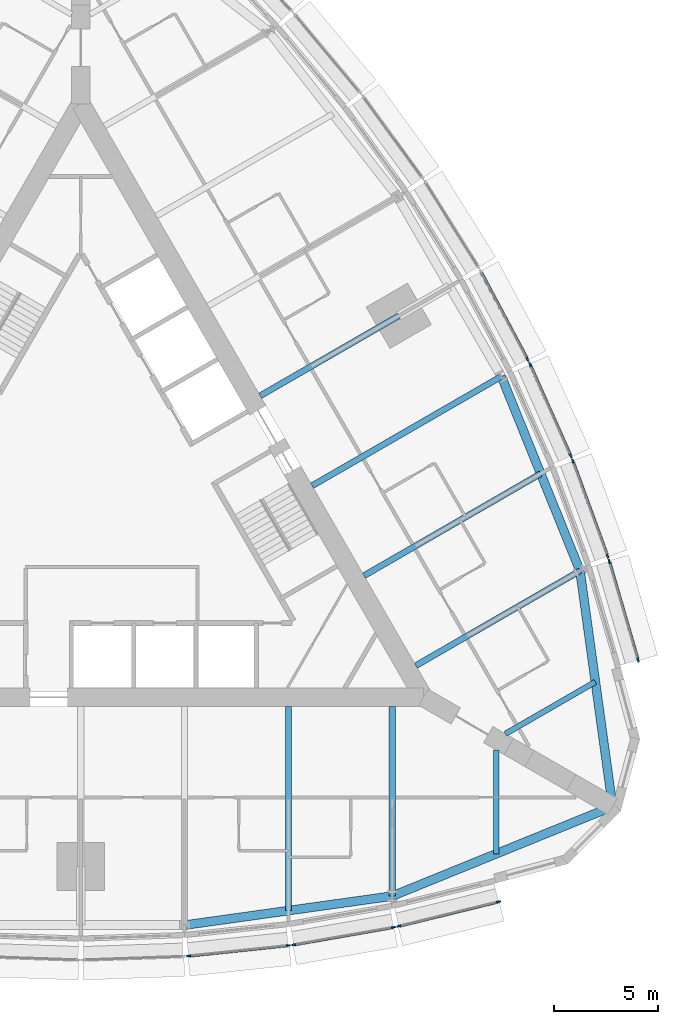
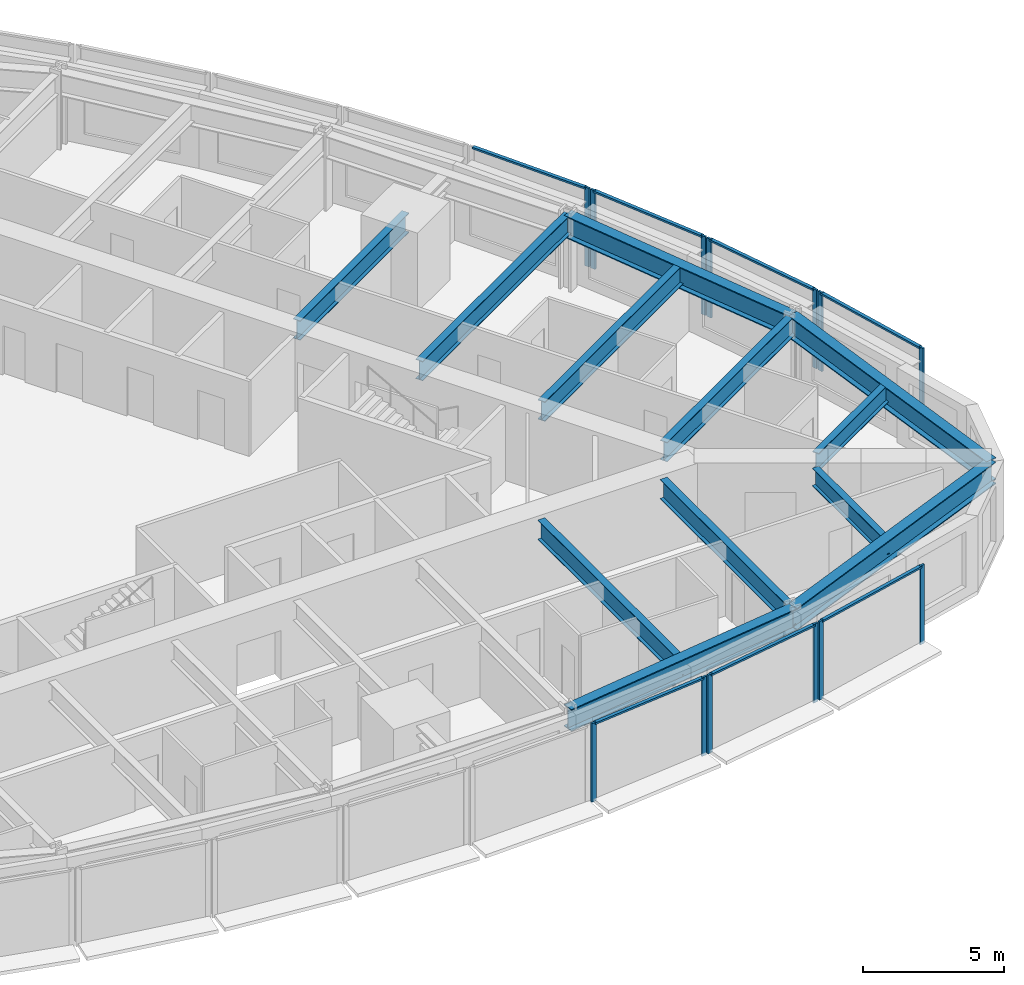
# One storey, part 3 of 14: 20 members, 12 beams, 7 elements without a shape of their own.
"""IFC4 building model written with IfcOpenShell, lengths in metres."""

from ifc_helpers import new_model, si_unit, direction, frame, origin, origin_2d, place, context, subcontext, project, spatial, rectangle, i_section, extrude, material, material_profile, profile_set, type_object, element, aggregate, save


model = new_model("IFC4")

# Units and contexts
model_context = context("Model", 3, precision=1e-05, world=origin(), true_north=direction((0.0, 1.0)))
body_context = subcontext(model_context, "Body", "Model", "MODEL_VIEW")
ifc_project = project(units=[si_unit("LENGTHUNIT", "METRE"), si_unit("AREAUNIT", "SQUARE_METRE"), si_unit("VOLUMEUNIT", "CUBIC_METRE"), si_unit("PLANEANGLEUNIT", "RADIAN"), si_unit("MASSUNIT", "GRAM", prefix="KILO")], contexts=[model_context])

# Site, building, storey
site_placement = place(None, origin())
site = spatial("IfcSite", under=ifc_project, at=site_placement, CompositionType="ELEMENT")
building_placement = place(site_placement, origin())
building = spatial("IfcBuilding", under=site, at=building_placement, Name="Trikona Tower", CompositionType="ELEMENT")
storey_placement = place(building_placement, frame((0.0, 0.0, 124.89990234375)))
storey = spatial("IfcBuildingStorey", under=building, at=storey_placement, Name="L32", CompositionType="ELEMENT", Elevation=124.89990234375)

# Curtain wall, members
ifc_material_1 = material(Name="Aluminium curtain wall system", Category="aluminium")
curtain_wall_type = type_object("IfcCurtainWallType", Name="Curtain wall DS2", PredefinedType="NOTDEFINED", material=ifc_material_1)
curtain_wall_1_placement = place(storey_placement, origin())
curtain_wall_1 = element("IfcCurtainWall", 1, at=curtain_wall_1_placement, inside=storey, type_object=curtain_wall_type, Name="Curtain wall DS2 L32", PredefinedType="NOTDEFINED")
ifc_material_2 = material(Name="Aluminium mullion, pale anodised", Category="aluminium")
ifc_material_profile_1 = material_profile(ifc_material_2, rectangle(XDim=0.080078125, YDim=0.199951171875, at=origin_2d()), Name="MUL-DS2")
ifc_profile_set_1 = profile_set([ifc_material_profile_1], Name="Aluminium mullion, pale anodised")
member_type_1 = type_object("IfcMemberType", Name="Mullion DS2 80x200", PredefinedType="MULLION", material=ifc_profile_set_1)
member_1_placement = place(storey_placement, frame((5.193359375, -21.98486328125, 0.0), z_axis=(0.0, 0.0, 1.0), x_axis=(-0.104433387357, 0.994531883654, 0.0)))
member_1 = element("IfcMember", 2, at=member_1_placement, type_object=member_type_1, Name="CW-DS2 mullion 1", PredefinedType="MULLION", context=body_context, shape_type="SweptSolid", body=[
    extrude(rectangle(XDim=0.080078125, YDim=0.199951171875, at=origin_2d()), origin(), (0.0, 0.0, 1.0), 3.400146484375),
])
member_2_placement = place(storey_placement, frame((9.99462890625, -21.480712890625, 0.0), z_axis=(0.0, 0.0, 1.0), x_axis=(-0.104433387357, 0.994531883654, 0.0)))
member_2 = element("IfcMember", 3, at=member_2_placement, type_object=member_type_1, Name="CW-DS2 mullion 2", PredefinedType="MULLION", context=body_context, shape_type="SweptSolid", body=[
    extrude(rectangle(XDim=0.080078125, YDim=0.199951171875, at=origin_2d()), origin(), (0.0, 0.0, 1.0), 3.400146484375),
])

curtain_wall_2_placement = place(storey_placement, origin())
curtain_wall_2 = element("IfcCurtainWall", 4, at=curtain_wall_2_placement, inside=storey, type_object=curtain_wall_type, Name="Curtain wall DS2 L32", PredefinedType="NOTDEFINED")
member_3_placement = place(storey_placement, frame((10.253662109375, -21.444580078125, 0.0), z_axis=(0.0, 0.0, 1.0), x_axis=(-0.17237739505, 0.985030981074, 0.0)))
member_3 = element("IfcMember", 5, at=member_3_placement, type_object=member_type_1, Name="CW-DS2 mullion 1", PredefinedType="MULLION", context=body_context, shape_type="SweptSolid", body=[
    extrude(rectangle(XDim=0.080078125, YDim=0.199951171875, at=origin_2d()), origin(), (0.0, 0.0, 1.0), 3.400146484375),
])
member_4_placement = place(storey_placement, frame((15.056640625, -20.60400390625, 0.0), z_axis=(0.0, 0.0, 1.0), x_axis=(-0.17237739505, 0.985030981074, 0.0)))
member_4 = element("IfcMember", 6, at=member_4_placement, type_object=member_type_1, Name="CW-DS2 mullion 2", PredefinedType="MULLION", context=body_context, shape_type="SweptSolid", body=[
    extrude(rectangle(XDim=0.080078125, YDim=0.199951171875, at=origin_2d()), origin(), (0.0, 0.0, 1.0), 3.400146484375),
])

curtain_wall_3_placement = place(storey_placement, origin())
curtain_wall_3 = element("IfcCurtainWall", 7, at=curtain_wall_3_placement, inside=storey, type_object=curtain_wall_type, Name="Curtain wall DS2 L32", PredefinedType="NOTDEFINED")
member_5_placement = place(storey_placement, frame((15.311279296875, -20.550537109375, 0.0), z_axis=(0.0, 0.0, 1.0), x_axis=(-0.237970204243, 0.971272455026, 0.0)))
member_5 = element("IfcMember", 8, at=member_5_placement, type_object=member_type_1, Name="CW-DS2 mullion 1", PredefinedType="MULLION", context=body_context, shape_type="SweptSolid", body=[
    extrude(rectangle(XDim=0.080078125, YDim=0.199951171875, at=origin_2d()), origin(), (0.0, 0.0, 1.0), 3.400146484375),
])
member_6_placement = place(storey_placement, frame((20.116943359375, -19.373046875, 0.0), z_axis=(0.0, 0.0, 1.0), x_axis=(-0.237970204243, 0.971272455026, 0.0)))
member_6 = element("IfcMember", 9, at=member_6_placement, type_object=member_type_1, Name="CW-DS2 mullion 2", PredefinedType="MULLION", context=body_context, shape_type="SweptSolid", body=[
    extrude(rectangle(XDim=0.080078125, YDim=0.199951171875, at=origin_2d()), origin(), (0.0, 0.0, 1.0), 3.400146484375),
])

curtain_wall_4_placement = place(storey_placement, origin())
curtain_wall_4 = element("IfcCurtainWall", 10, at=curtain_wall_4_placement, inside=storey, type_object=curtain_wall_type, Name="Curtain wall DS2 L32", PredefinedType="NOTDEFINED")
member_7_placement = place(storey_placement, frame((26.836181640625, -7.7353515625, 0.0), z_axis=(0.0, 0.0, 1.0), x_axis=(-0.96013310152, -0.279543247757, 0.0)))
member_7 = element("IfcMember", 11, at=member_7_placement, type_object=member_type_1, Name="CW-DS2 mullion 1", PredefinedType="MULLION", context=body_context, shape_type="SweptSolid", body=[
    extrude(rectangle(XDim=0.080078125, YDim=0.199951171875, at=origin_2d()), origin(), (0.0, 0.0, 1.0), 3.400146484375),
])
member_8_placement = place(storey_placement, frame((25.452880859375, -2.984619140625, 0.0), z_axis=(0.0, 0.0, 1.0), x_axis=(-0.96013310152, -0.279543247757, 0.0)))
member_8 = element("IfcMember", 12, at=member_8_placement, type_object=member_type_1, Name="CW-DS2 mullion 2", PredefinedType="MULLION", context=body_context, shape_type="SweptSolid", body=[
    extrude(rectangle(XDim=0.080078125, YDim=0.199951171875, at=origin_2d()), origin(), (0.0, 0.0, 1.0), 3.400146484375),
])

curtain_wall_5_placement = place(storey_placement, origin())
curtain_wall_5 = element("IfcCurtainWall", 13, at=curtain_wall_5_placement, inside=storey, type_object=curtain_wall_type, Name="Curtain wall DS2 L32", PredefinedType="NOTDEFINED")
member_9_placement = place(storey_placement, frame((25.371826171875, -2.737548828125, 0.0), z_axis=(0.0, 0.0, 1.0), x_axis=(-0.939253790978, -0.343223420143, 0.0)))
member_9 = element("IfcMember", 14, at=member_9_placement, type_object=member_type_1, Name="CW-DS2 mullion 1", PredefinedType="MULLION", context=body_context, shape_type="SweptSolid", body=[
    extrude(rectangle(XDim=0.080078125, YDim=0.199951171875, at=origin_2d()), origin(), (0.0, 0.0, 1.0), 3.400146484375),
])
member_10_placement = place(storey_placement, frame((23.6982421875, 1.84228515625, 0.0), z_axis=(0.0, 0.0, 1.0), x_axis=(-0.939253790978, -0.343223420143, 0.0)))
member_10 = element("IfcMember", 15, at=member_10_placement, type_object=member_type_1, Name="CW-DS2 mullion 2", PredefinedType="MULLION", context=body_context, shape_type="SweptSolid", body=[
    extrude(rectangle(XDim=0.080078125, YDim=0.199951171875, at=origin_2d()), origin(), (0.0, 0.0, 1.0), 3.400146484375),
])

curtain_wall_6_placement = place(storey_placement, origin())
curtain_wall_6 = element("IfcCurtainWall", 16, at=curtain_wall_6_placement, inside=storey, type_object=curtain_wall_type, Name="Curtain wall DS2 L32", PredefinedType="NOTDEFINED")
member_11_placement = place(storey_placement, frame((23.60009765625, 2.0849609375, 0.0), z_axis=(0.0, 0.0, 1.0), x_axis=(-0.913501208767, -0.406836013132, 0.0)))
member_11 = element("IfcMember", 17, at=member_11_placement, type_object=member_type_1, Name="CW-DS2 mullion 1", PredefinedType="MULLION", context=body_context, shape_type="SweptSolid", body=[
    extrude(rectangle(XDim=0.080078125, YDim=0.199951171875, at=origin_2d()), origin(), (0.0, 0.0, 1.0), 3.400146484375),
])
member_12_placement = place(storey_placement, frame((21.63623046875, 6.494873046875, 0.0), z_axis=(0.0, 0.0, 1.0), x_axis=(-0.913501208767, -0.406836013132, 0.0)))
member_12 = element("IfcMember", 18, at=member_12_placement, type_object=member_type_1, Name="CW-DS2 mullion 2", PredefinedType="MULLION", context=body_context, shape_type="SweptSolid", body=[
    extrude(rectangle(XDim=0.080078125, YDim=0.199951171875, at=origin_2d()), origin(), (0.0, 0.0, 1.0), 3.400146484375),
])

# Curtain wall, member
curtain_wall_7_placement = place(storey_placement, origin())
curtain_wall_7 = element("IfcCurtainWall", 19, at=curtain_wall_7_placement, inside=storey, type_object=curtain_wall_type, Name="Curtain wall DS2 L32", PredefinedType="NOTDEFINED")
member_13_placement = place(storey_placement, frame((21.52099609375, 6.730712890625, 0.0), z_axis=(0.0, 0.0, 1.0), x_axis=(-0.882996107343, -0.469380308937, 0.0)))
member_13 = element("IfcMember", 20, at=member_13_placement, type_object=member_type_1, Name="CW-DS2 mullion 1", PredefinedType="MULLION", context=body_context, shape_type="SweptSolid", body=[
    extrude(rectangle(XDim=0.080078125, YDim=0.199951171875, at=origin_2d()), origin(), (0.0, 0.0, 1.0), 3.400146484375),
])

# Beams
ifc_material_3 = material(Name="Steel ASTM A992 Grade 50", Category="steel")
ifc_material_profile_2 = material_profile(ifc_material_3, i_section(OverallWidth=0.2666015625, OverallDepth=0.76953125, WebThickness=0.015625, FlangeThickness=0.025390625, at=origin_2d()), Name="W30X132")
ifc_profile_set_2 = profile_set([ifc_material_profile_2], Name="Steel ASTM A992 Grade 50")
beam_type_1 = type_object("IfcBeamType", Name="Steel beam W30x132 (wedge)", PredefinedType="BEAM", material=ifc_profile_set_2)
beam_1_placement = place(storey_placement, frame((20.0, -12.066650390625, 2.850341796875), z_axis=(0.0, -1.0, 0.0), x_axis=(1.0, 0.0, 0.0)))
element("IfcBeam", 21, at=beam_1_placement, inside=storey, type_object=beam_type_1, Name="Floor beam L33 F1 u20", PredefinedType="BEAM", context=body_context, shape_type="SweptSolid", body=[
    extrude(i_section(OverallWidth=0.2666015625, OverallDepth=0.76953125, WebThickness=0.015625, FlangeThickness=0.025390625, at=origin_2d()), origin(), (0.0, 0.0, 1.0), 5.00048828125),
])
beam_2_placement = place(storey_placement, frame((20.449951171875, -11.287109375, 2.850341796875), z_axis=(0.866038434829, 0.49997742889, 0.0), x_axis=(-0.49997742889, 0.866038434829, 0.0)))
element("IfcBeam", 22, at=beam_2_placement, inside=storey, type_object=beam_type_1, Name="Floor beam L33 F2 u-20", PredefinedType="BEAM", context=body_context, shape_type="SweptSolid", body=[
    extrude(i_section(OverallWidth=0.2666015625, OverallDepth=0.76953125, WebThickness=0.015625, FlangeThickness=0.025390625, at=origin_2d()), origin(), (0.0, 0.0, 1.0), 5.000732421875),
])
ifc_material_4 = material(Name="Steel ASTM A992 Grade 50", Category="steel")
ifc_material_profile_3 = material_profile(ifc_material_4, i_section(OverallWidth=0.2919921875, OverallDepth=0.845703125, WebThickness=0.015380859375, FlangeThickness=0.0244140625, at=origin_2d()), Name="W33X141")
ifc_profile_set_3 = profile_set([ifc_material_profile_3], Name="Steel ASTM A992 Grade 50")
beam_type_2 = type_object("IfcBeamType", Name="Steel beam W33x141 (radial typ)", PredefinedType="BEAM", material=ifc_profile_set_3)
beam_3_placement = place(storey_placement, frame((10.0, -9.976318359375, 2.812255859375), z_axis=(0.0, -1.0, 0.0), x_axis=(1.0, 0.0, 0.0)))
element("IfcBeam", 23, at=beam_3_placement, inside=storey, type_object=beam_type_2, Name="Floor beam L33 F1 u10", PredefinedType="BEAM", context=body_context, shape_type="SweptSolid", body=[
    extrude(i_section(OverallWidth=0.2919921875, OverallDepth=0.845703125, WebThickness=0.015380859375, FlangeThickness=0.0244140625, at=origin_2d()), origin(), (0.0, 0.0, 1.0), 9.823974609375),
])
beam_4_placement = place(storey_placement, frame((15.0, -9.976318359375, 2.812255859375), z_axis=(0.0, -1.0, 0.0), x_axis=(1.0, 0.0, 0.0)))
element("IfcBeam", 24, at=beam_4_placement, inside=storey, type_object=beam_type_2, Name="Floor beam L33 F1 u15", PredefinedType="BEAM", context=body_context, shape_type="SweptSolid", body=[
    extrude(i_section(OverallWidth=0.2919921875, OverallDepth=0.845703125, WebThickness=0.015380859375, FlangeThickness=0.0244140625, at=origin_2d()), origin(), (0.0, 0.0, 1.0), 9.123779296875),
])
beam_5_placement = place(storey_placement, frame((16.1396484375, -8.002197265625, 2.812255859375), z_axis=(0.866024725532, 0.500001174766, 0.0), x_axis=(-0.500001174766, 0.866024725532, 0.0)))
element("IfcBeam", 25, at=beam_5_placement, inside=storey, type_object=beam_type_2, Name="Floor beam L33 F2 u-15", PredefinedType="BEAM", context=body_context, shape_type="SweptSolid", body=[
    extrude(i_section(OverallWidth=0.2919921875, OverallDepth=0.845703125, WebThickness=0.015380859375, FlangeThickness=0.0244140625, at=origin_2d()), origin(), (0.0, 0.0, 1.0), 9.1240234375),
])
beam_6_placement = place(storey_placement, frame((13.6396484375, -3.672119140625, 2.812255859375), z_axis=(0.866020046725, 0.500009278584, 0.0), x_axis=(-0.500009278584, 0.866020046725, 0.0)))
element("IfcBeam", 26, at=beam_6_placement, inside=storey, type_object=beam_type_2, Name="Floor beam L33 F2 u-10", PredefinedType="BEAM", context=body_context, shape_type="SweptSolid", body=[
    extrude(i_section(OverallWidth=0.2919921875, OverallDepth=0.845703125, WebThickness=0.015380859375, FlangeThickness=0.0244140625, at=origin_2d()), origin(), (0.0, 0.0, 1.0), 9.823974609375),
])
beam_7_placement = place(storey_placement, frame((11.1396484375, 0.657958984375, 2.812255859375), z_axis=(0.866026035623, 0.499998905622, 0.0), x_axis=(-0.499998905622, 0.866026035623, 0.0)))
element("IfcBeam", 27, at=beam_7_placement, inside=storey, type_object=beam_type_2, Name="Floor beam L33 F2 u-5", PredefinedType="BEAM", context=body_context, shape_type="SweptSolid", body=[
    extrude(i_section(OverallWidth=0.2919921875, OverallDepth=0.845703125, WebThickness=0.015380859375, FlangeThickness=0.0244140625, at=origin_2d()), origin(), (0.0, 0.0, 1.0), 10.52392578125),
])
beam_8_placement = place(storey_placement, frame((8.6396484375, 4.988037109375, 2.812255859375), z_axis=(0.866017246294, 0.500014128921, 0.0), x_axis=(-0.500014128921, 0.866017246294, 0.0)))
element("IfcBeam", 28, at=beam_8_placement, inside=storey, type_object=beam_type_2, Name="Floor beam L33 F2 u0", PredefinedType="BEAM", context=body_context, shape_type="SweptSolid", body=[
    extrude(i_section(OverallWidth=0.2919921875, OverallDepth=0.845703125, WebThickness=0.015380859375, FlangeThickness=0.0244140625, at=origin_2d()), origin(), (0.0, 0.0, 1.0), 7.704345703125),
])
ifc_material_5 = material(Name="Steel ASTM A992 Grade 50", Category="steel")
ifc_material_profile_4 = material_profile(ifc_material_5, i_section(OverallWidth=0.424072265625, OverallDepth=0.947509765625, WebThickness=0.02392578125, FlangeThickness=0.042724609375, at=origin_2d()), Name="W36X302")
ifc_profile_set_4 = profile_set([ifc_material_profile_4], Name="Steel ASTM A992 Grade 50")
beam_type_3 = type_object("IfcBeamType", Name="Steel beam W36x302 (spandrel)", PredefinedType="SPANDREL", material=ifc_profile_set_4)
beam_9_placement = place(storey_placement, frame((5.0, -20.500244140625, 2.761474609375), z_axis=(0.990339754644, 0.13866207258, 0.0), x_axis=(-0.13866207258, 0.990339754644, 0.0)))
element("IfcBeam", 29, at=beam_9_placement, inside=storey, type_object=beam_type_3, Name="Spandrel beam L33 F1-4", PredefinedType="SPANDREL", context=body_context, shape_type="SweptSolid", body=[
    extrude(i_section(OverallWidth=0.424072265625, OverallDepth=0.947509765625, WebThickness=0.02392578125, FlangeThickness=0.042724609375, at=origin_2d()), origin(), (0.0, 0.0, 1.0), 10.09765625),
])
for number, where, z_axis, x_axis, name in (
    (30, (15.0, -19.10009765625, 2.761474609375), (0.926359695662, 0.376640032728, 0.0), (-0.376640032728, 0.926359695662, 0.0), "Spandrel beam L33 F1-5"),
    (31, (25.6103515625, -14.7861328125, 2.761474609375), (-0.136991535842, 0.990572218017, 0.0), (-0.990572218017, -0.136991535842, 0.0), "Spandrel beam L33 F2-1"),
):
    element("IfcBeam", number, at=place(storey_placement, frame(where, z_axis=z_axis, x_axis=x_axis)), inside=storey, type_object=beam_type_3, Name=name, PredefinedType="SPANDREL", context=body_context, shape_type="SweptSolid", body=[
        extrude(i_section(OverallWidth=0.424072265625, OverallDepth=0.947509765625, WebThickness=0.02392578125, FlangeThickness=0.042724609375, at=origin_2d()), origin(), (0.0, 0.0, 1.0), 11.453857421875),
    ])
beam_10_placement = place(storey_placement, frame((24.041259765625, -3.440185546875, 2.761474609375), z_axis=(-0.375106193787, 0.926981846307, 0.0), x_axis=(-0.926981846307, -0.375106193787, 0.0)))
element("IfcBeam", 32, at=beam_10_placement, inside=storey, type_object=beam_type_3, Name="Spandrel beam L33 F2-2", PredefinedType="SPANDREL", context=body_context, shape_type="SweptSolid", body=[
    extrude(i_section(OverallWidth=0.424072265625, OverallDepth=0.947509765625, WebThickness=0.02392578125, FlangeThickness=0.042724609375, at=origin_2d()), origin(), (0.0, 0.0, 1.0), 10.097412109375),
])

# Member
ifc_material_6 = material(Name="Aluminium transom, pale anodised", Category="aluminium")
ifc_material_profile_5 = material_profile(ifc_material_6, rectangle(XDim=0.139892578125, YDim=0.080078125, at=origin_2d()), Name="TRN-DS2")
ifc_profile_set_5 = profile_set([ifc_material_profile_5], Name="Aluminium transom, pale anodised")
member_type_2 = type_object("IfcMemberType", Name="Transom DS2 80x140", PredefinedType="USERDEFINED", material=ifc_profile_set_5)
member_14_placement = place(storey_placement, frame((5.233154296875, -21.980712890625, 3.360107421875), z_axis=(0.99453106441, 0.104441188822, 0.0), x_axis=(-0.104441188822, 0.99453106441, 0.0)))
member_14 = element("IfcMember", 33, at=member_14_placement, type_object=member_type_2, Name="CW-DS2 transom 1.1", ObjectType="TRANSOM", PredefinedType="USERDEFINED", context=body_context, shape_type="SweptSolid", body=[
    extrude(rectangle(XDim=0.139892578125, YDim=0.080078125, at=origin_2d()), origin(), (0.0, 0.0, 1.0), 4.74755859375),
])

aggregate(curtain_wall_1, [member_1, member_2, member_14])

member_15_placement = place(storey_placement, frame((10.29296875, -21.4375, 3.360107421875), z_axis=(0.98503262804, 0.172367983387, 0.0), x_axis=(-0.172367983387, 0.98503262804, 0.0)))
member_15 = element("IfcMember", 34, at=member_15_placement, type_object=member_type_2, Name="CW-DS2 transom 1.1", ObjectType="TRANSOM", PredefinedType="USERDEFINED", context=body_context, shape_type="SweptSolid", body=[
    extrude(rectangle(XDim=0.139892578125, YDim=0.080078125, at=origin_2d()), origin(), (0.0, 0.0, 1.0), 4.7958984375),
])

aggregate(curtain_wall_2, [member_3, member_4, member_15])

member_16_placement = place(storey_placement, frame((15.35009765625, -20.541015625, 3.360107421875), z_axis=(0.971270583303, 0.237977843528, 0.0), x_axis=(-0.237977843528, 0.971270583303, 0.0)))
member_16 = element("IfcMember", 35, at=member_16_placement, type_object=member_type_2, Name="CW-DS2 transom 1.1", ObjectType="TRANSOM", PredefinedType="USERDEFINED", context=body_context, shape_type="SweptSolid", body=[
    extrude(rectangle(XDim=0.139892578125, YDim=0.080078125, at=origin_2d()), origin(), (0.0, 0.0, 1.0), 4.867919921875),
])

aggregate(curtain_wall_3, [member_5, member_6, member_16])

member_17_placement = place(storey_placement, frame((26.824951171875, -7.69677734375, 3.360107421875), z_axis=(-0.279566628153, 0.960126293996, 0.0), x_axis=(-0.960126293996, -0.279566628153, 0.0)))
member_17 = element("IfcMember", 36, at=member_17_placement, type_object=member_type_2, Name="CW-DS2 transom 1.1", ObjectType="TRANSOM", PredefinedType="USERDEFINED", context=body_context, shape_type="SweptSolid", body=[
    extrude(rectangle(XDim=0.139892578125, YDim=0.080078125, at=origin_2d()), origin(), (0.0, 0.0, 1.0), 4.86767578125),
])

aggregate(curtain_wall_4, [member_7, member_8, member_17])

member_18_placement = place(storey_placement, frame((25.358154296875, -2.699951171875, 3.360107421875), z_axis=(-0.343205907674, 0.939260190223, 0.0), x_axis=(-0.939260190223, -0.343205907674, 0.0)))
member_18 = element("IfcMember", 37, at=member_18_placement, type_object=member_type_2, Name="CW-DS2 transom 1.1", ObjectType="TRANSOM", PredefinedType="USERDEFINED", context=body_context, shape_type="SweptSolid", body=[
    extrude(rectangle(XDim=0.139892578125, YDim=0.080078125, at=origin_2d()), origin(), (0.0, 0.0, 1.0), 4.7958984375),
])

aggregate(curtain_wall_5, [member_9, member_10, member_18])

member_19_placement = place(storey_placement, frame((23.583740234375, 2.12158203125, 3.360107421875), z_axis=(-0.406839769607, 0.913499535778, 0.0), x_axis=(-0.913499535778, -0.406839769607, 0.0)))
member_19 = element("IfcMember", 38, at=member_19_placement, type_object=member_type_2, Name="CW-DS2 transom 1.1", ObjectType="TRANSOM", PredefinedType="USERDEFINED", context=body_context, shape_type="SweptSolid", body=[
    extrude(rectangle(XDim=0.139892578125, YDim=0.080078125, at=origin_2d()), origin(), (0.0, 0.0, 1.0), 4.747314453125),
])

aggregate(curtain_wall_6, [member_11, member_12, member_19])

member_20_placement = place(storey_placement, frame((21.502197265625, 6.76611328125, 3.360107421875), z_axis=(-0.469364343408, 0.883004594063, 0.0), x_axis=(-0.883004594063, -0.469364343408, 0.0)))
member_20 = element("IfcMember", 39, at=member_20_placement, type_object=member_type_2, Name="CW-DS2 transom 1.1", ObjectType="TRANSOM", PredefinedType="USERDEFINED", context=body_context, shape_type="SweptSolid", body=[
    extrude(rectangle(XDim=0.139892578125, YDim=0.080078125, at=origin_2d()), origin(), (0.0, 0.0, 1.0), 4.722900390625),
])

aggregate(curtain_wall_7, [member_13, member_20])

save(model, "model.ifc")
